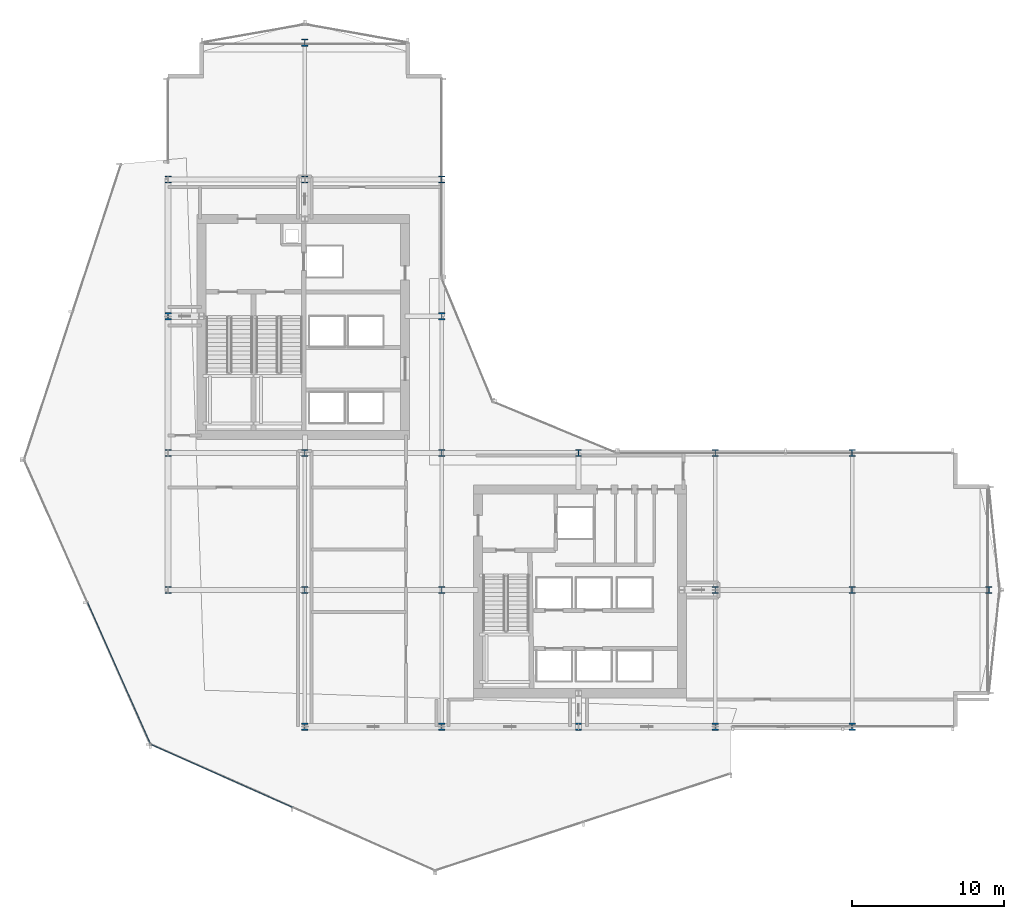
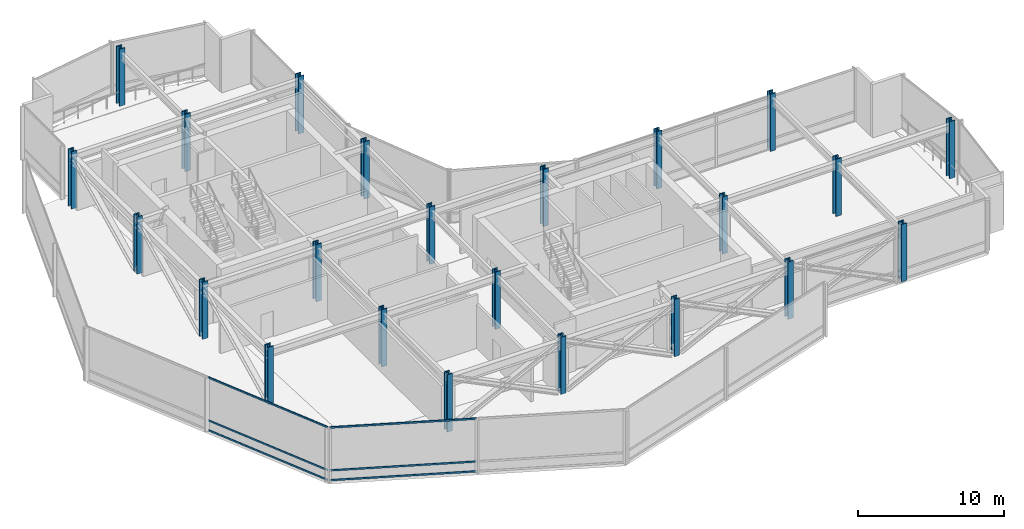
# One storey, part 1 of 42: 23 columns, 6 members, 2 elements without a shape of their own.
"""IFC4 building model written with IfcOpenShell, lengths in metres."""

import ifcopenshell
import ifcopenshell.guid

model = None  # the IFC model being written
_history = None  # IfcOwnerHistory: only IFC2X3 demands one
_inside = {}  # id of a spatial element -> (the spatial element, [elements in it])
_under = {}  # id of a project, library or spatial element -> (it, [spatial elements below it])
_declared = {}  # id of a project -> (the project, [libraries it declares])
_typed = {}  # id of a type object -> (the type object, [elements of that type])
_made_of = {}  # id of a material, layer set ... -> (it, [elements and type objects made of it])


def new_model(schema):
    """Start an empty IFC model of exactly this schema.

    Asked for "IFC4X3", IfcOpenShell would pick the latest addendum, in which some entities
    have other attributes; the version numbers below select the first issue.
    IFC2X3 requires an IfcOwnerHistory on every rooted entity: one is made here for all.
    """
    global model, _history
    if schema == "IFC4X3":
        model = ifcopenshell.file(schema_version=(4, 3, 0, 0))
    else:
        model = ifcopenshell.file(schema=schema)
    _inside.clear()
    _under.clear()
    _declared.clear()
    _typed.clear()
    _made_of.clear()
    _history = None
    if model.schema == "IFC2X3":
        org = make("IfcOrganization", Name="unknown")
        user = make(
            "IfcPersonAndOrganization",
            ThePerson=make("IfcPerson", FamilyName="unknown"),
            TheOrganization=org,
        )
        app = make(
            "IfcApplication",
            ApplicationDeveloper=org,
            Version="unknown",
            ApplicationFullName="unknown",
            ApplicationIdentifier="unknown",
        )
        _history = make(
            "IfcOwnerHistory",
            OwningUser=user,
            OwningApplication=app,
            ChangeAction="ADDED",
            CreationDate=0,
        )
    return model


def make(cls, **values):
    """One entity of the class cls with the attributes given. An attribute that is None is left unset."""
    return model.create_entity(
        cls, **{name: value for name, value in values.items() if value is not None}
    )


def rooted(cls, **values):
    """An entity with a GlobalId (a new one), such as an element, a storey or a relation."""
    return make(cls, GlobalId=ifcopenshell.guid.new(), OwnerHistory=_history, **values)


def si_unit(unit_type, name, prefix=None):
    """IfcSIUnit, for example si_unit("LENGTHUNIT", "METRE", prefix="MILLI")."""
    return make("IfcSIUnit", UnitType=unit_type, Prefix=prefix, Name=name)


def assignment(units):
    """IfcUnitAssignment: the units of a project."""
    return None if units is None else make("IfcUnitAssignment", Units=units)


def point(xyz):
    """IfcCartesianPoint."""
    return None if xyz is None else make("IfcCartesianPoint", Coordinates=xyz)


def direction(xyz):
    """IfcDirection."""
    return None if xyz is None else make("IfcDirection", DirectionRatios=xyz)


def frame(location, z_axis=None, x_axis=None):
    """IfcAxis2Placement3D, a coordinate frame: its origin and axes. An axis left out is left unset."""
    return make(
        "IfcAxis2Placement3D",
        Location=point(location),
        Axis=direction(z_axis),
        RefDirection=direction(x_axis),
    )


def frame_2d(location, x_axis=None):
    """IfcAxis2Placement2D, a coordinate frame in the plane: its origin and x axis."""
    return make(
        "IfcAxis2Placement2D", Location=point(location), RefDirection=direction(x_axis)
    )


def origin():
    """The frame at (0, 0, 0) with its axes left unset."""
    return frame((0.0, 0.0, 0.0))


def origin_2d():
    """The frame at (0, 0) in the plane with its x axis left unset."""
    return frame_2d((0.0, 0.0))


def place(relative_to, where):
    """IfcLocalPlacement: puts the frame where relative to a parent placement (None: the world)."""
    return make(
        "IfcLocalPlacement", PlacementRelTo=relative_to, RelativePlacement=where
    )


def context(
    kind, dimensions, precision=None, world=None, true_north=None, identifier=None
):
    """IfcGeometricRepresentationContext, for example the 3D "Model" context."""
    return make(
        "IfcGeometricRepresentationContext",
        ContextIdentifier=identifier,
        ContextType=kind,
        CoordinateSpaceDimension=dimensions,
        Precision=precision,
        WorldCoordinateSystem=world,
        TrueNorth=true_north,
    )


def subcontext(parent, identifier, kind, view, scale=None):
    """IfcGeometricRepresentationSubContext, for example "Body" below "Model"."""
    return make(
        "IfcGeometricRepresentationSubContext",
        ContextIdentifier=identifier,
        ContextType=kind,
        ParentContext=parent,
        TargetScale=scale,
        TargetView=view,
    )


def project(units=None, contexts=None):
    """IfcProject with its units and contexts."""
    return rooted(
        "IfcProject",
        Name="project",
        RepresentationContexts=contexts,
        UnitsInContext=assignment(units),
    )


def spatial(cls, under=None, at=None, **own):
    """A site, building, storey or space (cls), placed at a placement, below another one or the project."""
    s = rooted(cls, ObjectPlacement=at, **own)
    if under is not None:
        _under.setdefault(under.id(), (under, []))[1].append(s)
    return s


def profile(cls, at=None, kind="AREA", **sizes):
    """A parametric profile (cls). Its sizes go by their IFC names, for example OverallWidth=200.0."""
    return make(cls, ProfileType=kind, Position=at, **sizes)


def hollow_rectangle(**sizes):
    """IfcRectangleHollowProfileDef."""
    return profile("IfcRectangleHollowProfileDef", **sizes)


def i_section(**sizes):
    """IfcIShapeProfileDef."""
    return profile("IfcIShapeProfileDef", **sizes)


def extrude(swept, where, along, depth):
    """IfcExtrudedAreaSolid: the profile swept, set in the frame where, extruded along a direction by depth."""
    return make(
        "IfcExtrudedAreaSolid",
        SweptArea=swept,
        Position=where,
        ExtrudedDirection=direction(along),
        Depth=depth,
    )


def shape(context_of_items, identifier, shape_type, items):
    """IfcShapeRepresentation: the items that make up one representation, for example the "Body"."""
    return make(
        "IfcShapeRepresentation",
        ContextOfItems=context_of_items,
        RepresentationIdentifier=identifier,
        RepresentationType=shape_type,
        Items=items,
    )


def material(Name=None, Category=None):
    """IfcMaterial."""
    return make("IfcMaterial", Name=Name, Category=Category)


def layer(
    of_material, thickness, ventilated=None, Name=None, Category=None, Priority=None
):
    """IfcMaterialLayer: one layer of a wall or slab, of a material (None: an air gap)."""
    return make(
        "IfcMaterialLayer",
        Material=of_material,
        LayerThickness=thickness,
        IsVentilated=ventilated,
        Name=Name,
        Category=Category,
        Priority=Priority,
    )


def layer_set(layers, Name=None):
    """IfcMaterialLayerSet."""
    return make("IfcMaterialLayerSet", MaterialLayers=layers, LayerSetName=Name)


def material_profile(
    of_material, cross_section, Name=None, Category=None, Priority=None
):
    """IfcMaterialProfile: a cross section and its material."""
    return make(
        "IfcMaterialProfile",
        Name=Name,
        Material=of_material,
        Profile=cross_section,
        Priority=Priority,
        Category=Category,
    )


def profile_set(profiles, Name=None, composite=None):
    """IfcMaterialProfileSet."""
    return make(
        "IfcMaterialProfileSet",
        Name=Name,
        MaterialProfiles=profiles,
        CompositeProfile=composite,
    )


def made_of(thing, what):
    """Note that an element or type object is made of a material, layer set ...; save() writes the relation."""
    if what is not None:
        _made_of.setdefault(what.id(), (what, []))[1].append(thing)
    return thing


def type_object(cls, material=None, **own):
    """A type object (cls), such as IfcWallType, which elements share."""
    return made_of(rooted(cls, **own), material)


def element(
    cls,
    number,
    at=None,
    inside=None,
    cuts=None,
    type_object=None,
    material=None,
    context=None,
    identifier="Body",
    shape_type=None,
    held_by="IfcProductDefinitionShape",
    body=None,
    shapes=None,
    **own,
):
    """One element of the class cls, such as IfcWall. Its Tag is "e" and its number.

    at: its placement. inside: the storey or other place that contains it. cuts: it is an
    opening in that element (IfcRelVoidsElement). A single representation is given by context,
    identifier, shape_type and body (its items); several are given by shapes. held_by: the class
    of the entity that holds the representations. save() writes the other relations.
    """
    e = rooted(cls, Tag="e%d" % number, ObjectPlacement=at, **own)
    if body is not None:
        shapes = [shape(context, identifier, shape_type, body)]
    if shapes is not None:
        e.Representation = make(held_by, Representations=shapes)
    if inside is not None:
        _inside.setdefault(inside.id(), (inside, []))[1].append(e)
    if cuts is not None:
        rooted(
            "IfcRelVoidsElement", RelatingBuildingElement=cuts, RelatedOpeningElement=e
        )
    if type_object is not None:
        _typed.setdefault(type_object.id(), (type_object, []))[1].append(e)
    return made_of(e, material)


def aggregate(whole, parts):
    """IfcRelAggregates: a whole, such as a stair, and the parts it consists of."""
    return rooted("IfcRelAggregates", RelatingObject=whole, RelatedObjects=parts)


def save(model, path):
    """Write the relations noted so far, then the file.

    IfcRelAggregates (storeys below a building ...), IfcRelContainedInSpatialStructure (elements
    in a storey), IfcRelDefinesByType, IfcRelAssociatesMaterial and IfcRelDeclares: one each for
    every whole, place, type object, material and project.
    """
    for whole, parts in _under.values():
        aggregate(whole, parts)
    for where, things in _inside.values():
        rooted(
            "IfcRelContainedInSpatialStructure",
            RelatedElements=things,
            RelatingStructure=where,
        )
    for kind, things in _typed.values():
        rooted("IfcRelDefinesByType", RelatedObjects=things, RelatingType=kind)
    for what, things in _made_of.values():
        rooted("IfcRelAssociatesMaterial", RelatedObjects=things, RelatingMaterial=what)
    for by, libraries in _declared.values():
        rooted("IfcRelDeclares", RelatingContext=by, RelatedDefinitions=libraries)
    model.write(path)


model = new_model("IFC4")

# Units and contexts
model_context = context("Model", 3, precision=1e-05, world=origin(), true_north=direction((0.0, 1.0)))
body_context = subcontext(model_context, "Body", "Model", "MODEL_VIEW")
ifc_project = project(units=[si_unit("LENGTHUNIT", "METRE"), si_unit("AREAUNIT", "SQUARE_METRE"), si_unit("VOLUMEUNIT", "CUBIC_METRE"), si_unit("PLANEANGLEUNIT", "RADIAN"), si_unit("MASSUNIT", "GRAM", prefix="KILO")], contexts=[model_context])

# Site, building, storey
site_placement = place(None, origin())
site = spatial("IfcSite", under=ifc_project, at=site_placement, CompositionType="ELEMENT")
building_placement = place(site_placement, origin())
building = spatial("IfcBuilding", under=site, at=building_placement, Name="Solvaryn Broadcast Tower", CompositionType="ELEMENT")
storey_placement = place(building_placement, frame((0.0, 0.0, 100.199951171875)))
storey = spatial("IfcBuildingStorey", under=building, at=storey_placement, Name="L24", CompositionType="ELEMENT", Elevation=100.199951171875)

# Columns
ifc_material_1 = material(Name="Steel ASTM A913 Grade 65", Category="steel")
ifc_material_profile_1 = material_profile(ifc_material_1, i_section(OverallWidth=0.424072265625, OverallDepth=0.47412109375, WebThickness=0.047607421875, FlangeThickness=0.0771484375, FilletRadius=0.014892578125, at=origin_2d()))
ifc_profile_set_1 = profile_set([ifc_material_profile_1], Name="Steel ASTM A913 Grade 65")
column_type_1 = type_object("IfcColumnType", Name="COL-C04E-W14X426", PredefinedType="COLUMN", material=ifc_profile_set_1)
for number, where, z_axis, x_axis, name in (
    (1, (9.0, 18.0, 0.0), (0.0, 0.0, 1.0), (1.0, 0.0, 0.0), "L24 Column (9.0, 18.0)"),
    (2, (9.0, 27.0, 0.0), (0.0, 0.0, 1.0), (1.0, 0.0, 0.0), "L24 Column (9.0, 27.0)"),
    (3, (9.0, 36.0, 0.0), (0.0, 0.0, 1.0), (1.0, 0.0, 0.0), "L24 Column (9.0, 36.0)"),
    (4, (9.0, 45.0, 0.0), (0.0, 0.0, 1.0), (1.0, 0.0, 0.0), "L24 Column (9.0, 45.0)"),
    (5, (18.0, 9.0, 0.0), (0.0, 0.0, 1.0), (1.0, 0.0, 0.0), "L24 Column (18.0, 9.0)"),
    (6, (18.0, 54.0, 0.0), (0.0, 0.0, 1.0), (1.0, 0.0, 0.0), "L24 Column (18.0, 54.0)"),
    (7, (27.0, 9.0, 0.0), (0.0, 0.0, 1.0), (1.0, 0.0, 0.0), "L24 Column (27.0, 9.0)"),
    (8, (27.0, 36.0, 0.0), (0.0, 0.0, 1.0), (1.0, 0.0, 0.0), "L24 Column (27.0, 36.0)"),
    (9, (27.0, 45.0, 0.0), (0.0, 0.0, 1.0), (1.0, 0.0, 0.0), "L24 Column (27.0, 45.0)"),
    (10, (36.0, 9.0, 0.0), (0.0, 0.0, 1.0), (1.0, 0.0, 0.0), "L24 Column (36.0, 9.0)"),
    (11, (36.0, 27.0, 0.0), (0.0, 0.0, 1.0), (1.0, 0.0, 0.0), "L24 Column (36.0, 27.0)"),
    (12, (45.0, 9.0, 0.0), (0.0, 0.0, 1.0), (1.0, 0.0, 0.0), "L24 Column (45.0, 9.0)"),
    (13, (45.0, 27.0, 0.0), (0.0, 0.0, 1.0), (1.0, 0.0, 0.0), "L24 Column (45.0, 27.0)"),
    (14, (54.0, 9.0, 0.0), (0.0, 0.0, 1.0), (1.0, 0.0, 0.0), "L24 Column (54.0, 9.0)"),
    (15, (54.0, 27.0, 0.0), (0.0, 0.0, 1.0), (1.0, 0.0, 0.0), "L24 Column (54.0, 27.0)"),
    (16, (63.0, 18.0, 0.0), (0.0, 0.0, 1.0), (1.0, 0.0, 0.0), "L24 Column (63.0, 18.0)"),
):
    element("IfcColumn", number, at=place(storey_placement, frame(where, z_axis=z_axis, x_axis=x_axis)), inside=storey, type_object=column_type_1, Name=name, PredefinedType="COLUMN", context=body_context, shape_type="SweptSolid", body=[
        extrude(i_section(OverallWidth=0.424072265625, OverallDepth=0.47412109375, WebThickness=0.047607421875, FlangeThickness=0.0771484375, FilletRadius=0.014892578125, at=origin_2d()), origin(), (0.0, 0.0, 1.0), 4.800048828125),
    ])
ifc_material_2 = material(Name="Steel ASTM A913 Grade 65", Category="steel")
ifc_material_profile_2 = material_profile(ifc_material_2, i_section(OverallWidth=0.424072265625, OverallDepth=0.47412109375, WebThickness=0.047607421875, FlangeThickness=0.0771484375, FilletRadius=0.014892578125, at=origin_2d()))
ifc_profile_set_2 = profile_set([ifc_material_profile_2], Name="Steel ASTM A913 Grade 65")
column_type_2 = type_object("IfcColumnType", Name="COL-C04I-W14X426", PredefinedType="COLUMN", material=ifc_profile_set_2)
for number, where, z_axis, x_axis, name in (
    (17, (18.0, 18.0, 0.0), (0.0, 0.0, 1.0), (1.0, 0.0, 0.0), "L24 Column (18.0, 18.0)"),
    (18, (18.0, 27.0, 0.0), (0.0, 0.0, 1.0), (1.0, 0.0, 0.0), "L24 Column (18.0, 27.0)"),
    (19, (18.0, 45.0, 0.0), (0.0, 0.0, 1.0), (1.0, 0.0, 0.0), "L24 Column (18.0, 45.0)"),
    (20, (27.0, 18.0, 0.0), (0.0, 0.0, 1.0), (1.0, 0.0, 0.0), "L24 Column (27.0, 18.0)"),
    (21, (27.0, 27.0, 0.0), (0.0, 0.0, 1.0), (1.0, 0.0, 0.0), "L24 Column (27.0, 27.0)"),
    (22, (45.0, 18.0, 0.0), (0.0, 0.0, 1.0), (1.0, 0.0, 0.0), "L24 Column (45.0, 18.0)"),
    (23, (54.0, 18.0, 0.0), (0.0, 0.0, 1.0), (1.0, 0.0, 0.0), "L24 Column (54.0, 18.0)"),
):
    element("IfcColumn", number, at=place(storey_placement, frame(where, z_axis=z_axis, x_axis=x_axis)), inside=storey, type_object=column_type_2, Name=name, PredefinedType="COLUMN", context=body_context, shape_type="SweptSolid", body=[
        extrude(i_section(OverallWidth=0.424072265625, OverallDepth=0.47412109375, WebThickness=0.047607421875, FlangeThickness=0.0771484375, FilletRadius=0.014892578125, at=origin_2d()), origin(), (0.0, 0.0, 1.0), 4.800048828125),
    ])

# Curtain wall, members
ifc_material_3 = material(Name="Aluminium and Terracotta Unitised Curtain Wall", Category="masonry")
ifc_layer = layer(ifc_material_3, 0.199951171875)
ifc_layer_set = layer_set([ifc_layer], Name="CW-SYS2-LOWMID")
curtain_wall_type = type_object("IfcCurtainWallType", Name="CW-SYS2-LOWMID", PredefinedType="NOTDEFINED", material=ifc_layer_set)
curtain_wall_1_placement = place(storey_placement, origin())
curtain_wall_1 = element("IfcCurtainWall", 24, at=curtain_wall_1_placement, inside=storey, type_object=curtain_wall_type, Name="L24 Curtain Wall DR2", PredefinedType="NOTDEFINED")
ifc_material_4 = material(Name="Anodised Aluminium 6063-T6", Category="aluminium")
ifc_material_profile_3 = material_profile(ifc_material_4, hollow_rectangle(XDim=0.06494140625, YDim=0.14990234375, WallThickness=0.00390625, InnerFilletRadius=0.00390625, OuterFilletRadius=0.008056640625, at=origin_2d()))
ifc_profile_set_3 = profile_set([ifc_material_profile_3], Name="Anodised Aluminium 6063-T6")
member_type = type_object("IfcMemberType", Name="CW-TRN-150", PredefinedType="USERDEFINED", material=ifc_profile_set_3)
member_1_placement = place(storey_placement, frame((3.70361328125, 17.176025390625, 0.030029296875), z_axis=(0.40591523062, -0.913910731719, 0.0), x_axis=(0.913910731719, 0.40591523062, 0.0)))
member_1 = element("IfcMember", 25, at=member_1_placement, type_object=member_type, Name="CWS2 transom 2.1", ObjectType="TRANSOM", PredefinedType="USERDEFINED", context=body_context, shape_type="SweptSolid", body=[
    extrude(hollow_rectangle(XDim=0.06494140625, YDim=0.14990234375, WallThickness=0.00390625, InnerFilletRadius=0.00390625, OuterFilletRadius=0.008056640625, at=origin_2d()), origin(), (0.0, 0.0, 1.0), 10.147705078125),
])
member_2_placement = place(storey_placement, frame((3.70361328125, 17.176025390625, 0.85009765625), z_axis=(0.40591523062, -0.913910731719, 0.0), x_axis=(0.913910731719, 0.40591523062, 0.0)))
member_2 = element("IfcMember", 26, at=member_2_placement, type_object=member_type, Name="CWS2 transom 2.2", ObjectType="TRANSOM", PredefinedType="USERDEFINED", context=body_context, shape_type="SweptSolid", body=[
    extrude(hollow_rectangle(XDim=0.06494140625, YDim=0.14990234375, WallThickness=0.00390625, InnerFilletRadius=0.00390625, OuterFilletRadius=0.008056640625, at=origin_2d()), origin(), (0.0, 0.0, 1.0), 10.147705078125),
])
member_3_placement = place(storey_placement, frame((3.70361328125, 17.176025390625, 4.43994140625), z_axis=(0.40591523062, -0.913910731719, 0.0), x_axis=(0.913910731719, 0.40591523062, 0.0)))
member_3 = element("IfcMember", 27, at=member_3_placement, type_object=member_type, Name="CWS2 transom 2.3", ObjectType="TRANSOM", PredefinedType="USERDEFINED", context=body_context, shape_type="SweptSolid", body=[
    extrude(hollow_rectangle(XDim=0.06494140625, YDim=0.14990234375, WallThickness=0.00390625, InnerFilletRadius=0.00390625, OuterFilletRadius=0.008056640625, at=origin_2d()), origin(), (0.0, 0.0, 1.0), 10.147705078125),
])
aggregate(curtain_wall_1, [member_1, member_2, member_3])

curtain_wall_2_placement = place(storey_placement, origin())
curtain_wall_2 = element("IfcCurtainWall", 28, at=curtain_wall_2_placement, inside=storey, type_object=curtain_wall_type, Name="L24 Curtain Wall DR3", PredefinedType="NOTDEFINED")
member_4_placement = place(storey_placement, frame((7.90185546875, 7.82275390625, 0.030029296875), z_axis=(0.913910731719, -0.40591523062, 0.0), x_axis=(0.40591523062, 0.913910731719, 0.0)))
member_4 = element("IfcMember", 29, at=member_4_placement, type_object=member_type, Name="CWS2 transom 1.1", ObjectType="TRANSOM", PredefinedType="USERDEFINED", context=body_context, shape_type="SweptSolid", body=[
    extrude(hollow_rectangle(XDim=0.06494140625, YDim=0.14990234375, WallThickness=0.00390625, InnerFilletRadius=0.00390625, OuterFilletRadius=0.008056640625, at=origin_2d()), origin(), (0.0, 0.0, 1.0), 10.147705078125),
])
member_5_placement = place(storey_placement, frame((7.90185546875, 7.82275390625, 0.85009765625), z_axis=(0.913910731719, -0.40591523062, 0.0), x_axis=(0.40591523062, 0.913910731719, 0.0)))
member_5 = element("IfcMember", 30, at=member_5_placement, type_object=member_type, Name="CWS2 transom 1.2", ObjectType="TRANSOM", PredefinedType="USERDEFINED", context=body_context, shape_type="SweptSolid", body=[
    extrude(hollow_rectangle(XDim=0.06494140625, YDim=0.14990234375, WallThickness=0.00390625, InnerFilletRadius=0.00390625, OuterFilletRadius=0.008056640625, at=origin_2d()), origin(), (0.0, 0.0, 1.0), 10.147705078125),
])
member_6_placement = place(storey_placement, frame((7.90185546875, 7.82275390625, 4.43994140625), z_axis=(0.913910731719, -0.40591523062, 0.0), x_axis=(0.40591523062, 0.913910731719, 0.0)))
member_6 = element("IfcMember", 31, at=member_6_placement, type_object=member_type, Name="CWS2 transom 1.3", ObjectType="TRANSOM", PredefinedType="USERDEFINED", context=body_context, shape_type="SweptSolid", body=[
    extrude(hollow_rectangle(XDim=0.06494140625, YDim=0.14990234375, WallThickness=0.00390625, InnerFilletRadius=0.00390625, OuterFilletRadius=0.008056640625, at=origin_2d()), origin(), (0.0, 0.0, 1.0), 10.147705078125),
])
aggregate(curtain_wall_2, [member_4, member_5, member_6])

save(model, "model.ifc")
